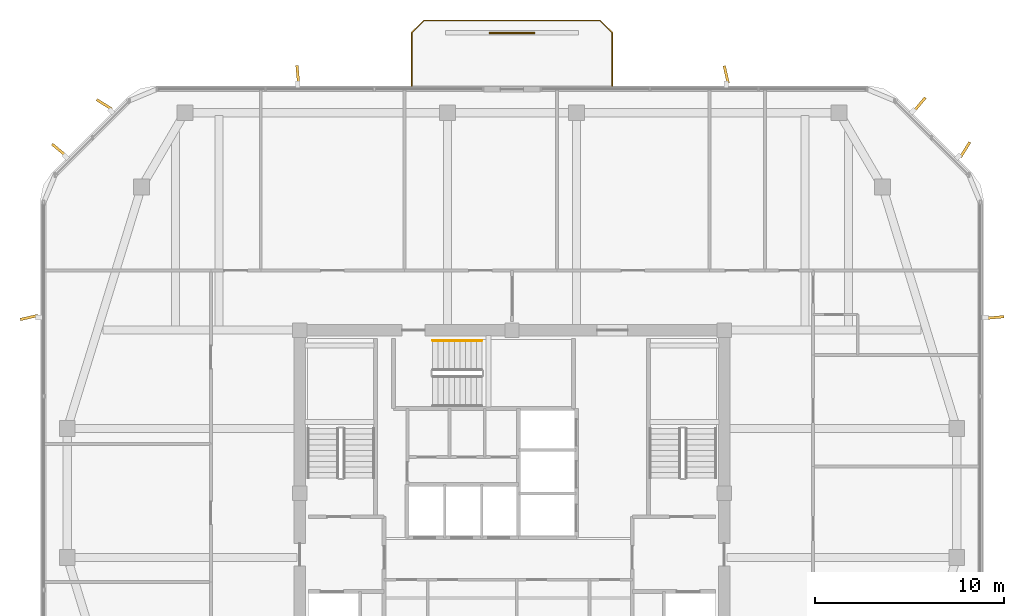
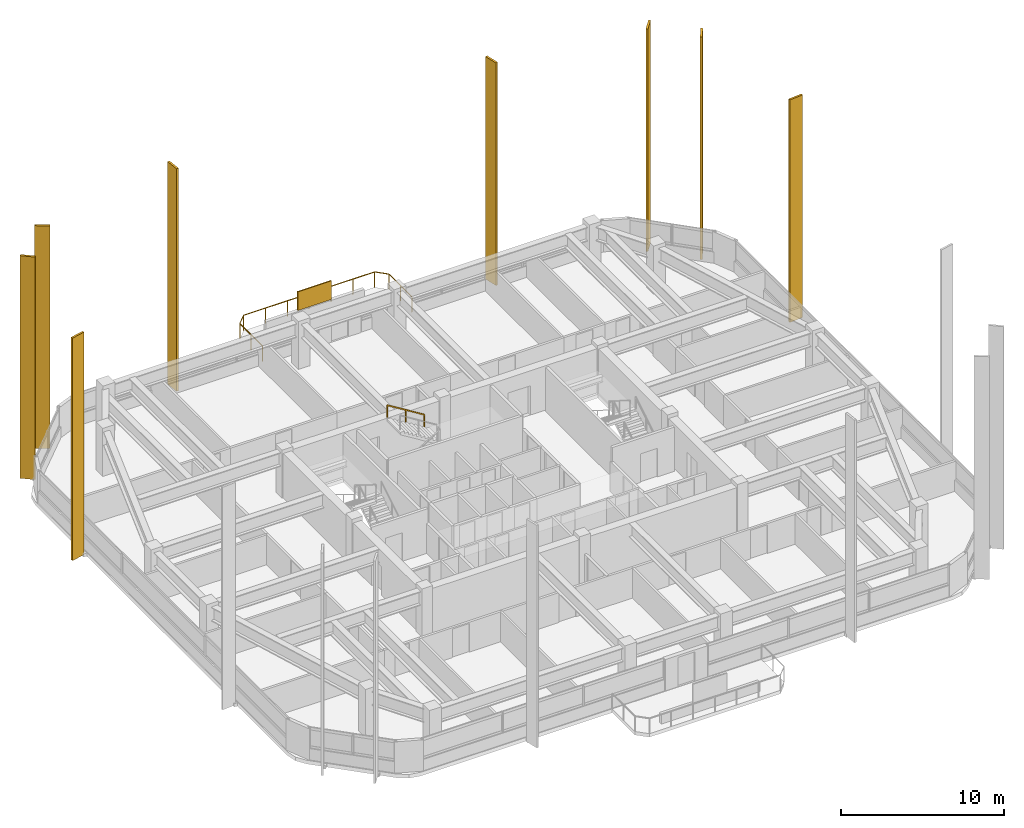
# One storey, part 13 of 13: 9 shading devices, 2 railings.
"""IFC4 building model written with IfcOpenShell, lengths in metres."""

from ifc_helpers import new_model, si_unit, derived_unit, direction, frame, origin, origin_2d, place, context, subcontext, project, spatial, rectangle, extrude, material, layer, layer_set, type_object, element, save


model = new_model("IFC4")

# Units and contexts
model_context = context("Model", 3, precision=1e-05, world=origin(), true_north=direction((0.0, 1.0)))
body_context = subcontext(model_context, "Body", "Model", "MODEL_VIEW")
ifc_project = project(units=[si_unit("LENGTHUNIT", "METRE"), si_unit("AREAUNIT", "SQUARE_METRE"), si_unit("VOLUMEUNIT", "CUBIC_METRE"), si_unit("PLANEANGLEUNIT", "RADIAN"), si_unit("MASSUNIT", "GRAM", prefix="KILO"), derived_unit("THERMALTRANSMITTANCEUNIT", [(si_unit("POWERUNIT", "WATT"), 1), (si_unit("LENGTHUNIT", "METRE"), -2), (si_unit("THERMODYNAMICTEMPERATUREUNIT", "KELVIN"), -1)])], contexts=[model_context])

# Site, building, storey
site_placement = place(None, origin())
site = spatial("IfcSite", under=ifc_project, at=site_placement, CompositionType="ELEMENT")
building_placement = place(site_placement, origin())
building = spatial("IfcBuilding", under=site, at=building_placement, Name="Koralith Skygarden Medical Center", CompositionType="ELEMENT")
storey_placement = place(building_placement, frame((0.0, 0.0, 282.419921875)))
storey = spatial("IfcBuildingStorey", under=building, at=storey_placement, Name="L73", CompositionType="ELEMENT", Elevation=282.419921875)

# Shading devices
ifc_material_1 = material(Name="Aluminium 6063-T6", Category="aluminium")
shading_device_type_1 = type_object("IfcShadingDeviceType", Name="Limestone-Clad Solar Storm Fin 950", PredefinedType="USERDEFINED", material=ifc_material_1)
for number, where, z_axis, x_axis, name in (
    (1, (62.4951171875, 35.169921875, -0.199951171875), (0.0, 0.0, 1.0), (0.995897043604, 0.090493527621, 0.0), "L73 E Harmonic Solar Storm Fin 2"),
    (2, (60.919921875, 44.02197265625, -0.199951171875), (0.0, 0.0, 1.0), (0.529830453939, 0.848103584522, 0.0), "L73 NE Harmonic Solar Storm Fin 1"),
    (3, (58.52197265625, 46.419921875, -0.199951171875), (0.0, 0.0, 1.0), (0.640216965862, 0.76819413993, 0.0), "L73 NE Harmonic Solar Storm Fin 2"),
    (4, (48.31005859375, 47.9951171875, -0.199951171875), (0.0, 0.0, 1.0), (-0.225053088905, 0.974346502623, 0.0), "L73 N Harmonic Solar Storm Fin 1"),
    (5, (25.68994140625, 47.9951171875, -0.199951171875), (0.0, 0.0, 1.0), (-0.090493527621, 0.995897043604, 0.0), "L73 N Harmonic Solar Storm Fin 2"),
    (6, (15.47802734375, 46.419921875, -0.199951171875), (0.0, 0.0, 1.0), (-0.848103584522, 0.529830453939, 0.0), "L73 NW Harmonic Solar Storm Fin 1"),
    (7, (13.080078125, 44.02197265625, -0.199951171875), (0.0, 0.0, 1.0), (-0.76819413993, 0.640216965862, 0.0), "L73 NW Harmonic Solar Storm Fin 2"),
    (8, (11.5048828125, 35.169921875, -0.199951171875), (0.0, 0.0, 1.0), (-0.974346502623, -0.225053088905, 0.0), "L73 W Harmonic Solar Storm Fin 1"),
):
    element("IfcShadingDevice", number, at=place(storey_placement, frame(where, z_axis=z_axis, x_axis=x_axis)), inside=storey, type_object=shading_device_type_1, Name=name, ObjectType="SOLAR FIN", PredefinedType="USERDEFINED", context=body_context, shape_type="SweptSolid", body=[
        extrude(rectangle(XDim=0.949951171875, YDim=0.139892578125, at=origin_2d()), origin(), (0.0, 0.0, 1.0), 16.7099609375),
    ])

# Railing
ifc_material_2 = material(Name="Steel ASTM A500 Grade C", Category="steel")
railing_type_1 = type_object("IfcRailingType", Name="Outdoor Terrace & Balcony Safety Guardrail 1180", PredefinedType="GUARDRAIL", material=ifc_material_2)
railing_1_placement = place(storey_placement, frame((42.300048828125, 47.39990234375, 0.0)))
element("IfcRailing", 9, at=railing_1_placement, inside=storey, type_object=railing_type_1, Name="L73 N Balcony Perimeter Guardrail", PredefinedType="GUARDRAIL", context=body_context, shape_type="SweptSolid", body=[
    extrude(rectangle(XDim=0.050048828125, YDim=0.050048828125, at=origin_2d()), frame((0.0, 0.001953125, 1.15478515625), z_axis=(0.0, 1.0, 0.0), x_axis=(-1.0, 0.0, 0.0)), (0.0, 0.0, 1.0), 2.796142578125),
    extrude(rectangle(XDim=0.050048828125, YDim=0.050048828125, at=origin_2d()), frame((-0.00146484375, 2.801513671875, 1.15478515625), z_axis=(-0.707106781187, 0.707106781187, 0.0), x_axis=(-0.707106781187, -0.707106781187, 0.0)), (0.0, 0.0, 1.0), 0.91552734375),
    extrude(rectangle(XDim=0.050048828125, YDim=0.050048828125, at=origin_2d()), frame((-0.652099609375, 3.4501953125, 1.15478515625), z_axis=(-1.0, 0.0, 0.0), x_axis=(0.0, -1.0, 0.0)), (0.0, 0.0, 1.0), 9.2958984375),
    extrude(rectangle(XDim=0.050048828125, YDim=0.050048828125, at=origin_2d()), frame((-9.951416015625, 3.44873046875, 1.15478515625), z_axis=(-0.707106781187, -0.707106781187, 0.0), x_axis=(0.707106781187, -0.707106781187, 0.0)), (0.0, 0.0, 1.0), 0.91552734375),
    extrude(rectangle(XDim=0.050048828125, YDim=0.050048828125, at=origin_2d()), frame((-10.60009765625, 2.798095703125, 1.15478515625), z_axis=(0.0, -1.0, 0.0), x_axis=(1.0, 0.0, 0.0)), (0.0, 0.0, 1.0), 2.796142578125),
    extrude(rectangle(XDim=0.0419921875, YDim=0.0419921875, at=origin_2d()), origin(), (0.0, 0.0, 1.0), 1.1279296875),
    extrude(rectangle(XDim=0.0419921875, YDim=0.0419921875, at=origin_2d()), frame((0.0, 1.39990234375, 0.0)), (0.0, 0.0, 1.0), 1.1279296875),
    extrude(rectangle(XDim=0.0419921875, YDim=0.0419921875, at=origin_2d()), frame((0.0, 2.800048828125, 0.0)), (0.0, 0.0, 1.0), 1.1279296875),
    extrude(rectangle(XDim=0.0419921875, YDim=0.0419921875, at=origin_2d()), frame((-0.650146484375, 3.4501953125, 0.0)), (0.0, 0.0, 1.0), 1.1279296875),
    extrude(rectangle(XDim=0.0419921875, YDim=0.0419921875, at=origin_2d()), frame((-2.2001953125, 3.4501953125, 0.0)), (0.0, 0.0, 1.0), 1.1279296875),
    extrude(rectangle(XDim=0.0419921875, YDim=0.0419921875, at=origin_2d()), frame((-3.75, 3.4501953125, 0.0)), (0.0, 0.0, 1.0), 1.1279296875),
    extrude(rectangle(XDim=0.0419921875, YDim=0.0419921875, at=origin_2d()), frame((-5.300048828125, 3.4501953125, 0.0)), (0.0, 0.0, 1.0), 1.1279296875),
    extrude(rectangle(XDim=0.0419921875, YDim=0.0419921875, at=origin_2d()), frame((-6.85009765625, 3.4501953125, 0.0)), (0.0, 0.0, 1.0), 1.1279296875),
    extrude(rectangle(XDim=0.0419921875, YDim=0.0419921875, at=origin_2d()), frame((-8.39990234375, 3.4501953125, 0.0)), (0.0, 0.0, 1.0), 1.1279296875),
    extrude(rectangle(XDim=0.0419921875, YDim=0.0419921875, at=origin_2d()), frame((-9.949951171875, 3.4501953125, 0.0)), (0.0, 0.0, 1.0), 1.1279296875),
    extrude(rectangle(XDim=0.0419921875, YDim=0.0419921875, at=origin_2d()), frame((-10.60009765625, 2.800048828125, 0.0)), (0.0, 0.0, 1.0), 1.1279296875),
    extrude(rectangle(XDim=0.0419921875, YDim=0.0419921875, at=origin_2d()), frame((-10.60009765625, 1.39990234375, 0.0)), (0.0, 0.0, 1.0), 1.1279296875),
    extrude(rectangle(XDim=0.0419921875, YDim=0.0419921875, at=origin_2d()), frame((-10.60009765625, 0.0, 0.0)), (0.0, 0.0, 1.0), 1.1279296875),
])

# Shading device
ifc_layer = layer(ifc_material_1, 0.080078125)
ifc_layer_set = layer_set([ifc_layer], Name="Aluminium 6063-T6")
shading_device_type_2 = type_object("IfcShadingDeviceType", Name="Perforated Biophilic Balcony Trellis Screen", PredefinedType="USERDEFINED", material=ifc_layer_set)
shading_device_placement = place(storey_placement, frame((37.0, 50.199951171875, 0.72021484375), z_axis=(0.0, 0.0, 1.0), x_axis=(1.0, 0.0, 0.0)))
element("IfcShadingDevice", 10, at=shading_device_placement, inside=storey, type_object=shading_device_type_2, Name="L73 N Biophilic Balcony Trellis Screen", ObjectType="HURRICANE SCREEN", PredefinedType="USERDEFINED", context=body_context, shape_type="SweptSolid", body=[
    extrude(rectangle(XDim=2.39990234375, YDim=0.080078125, at=origin_2d()), origin(), (0.0, 0.0, 1.0), 1.39990234375),
])

# Railing
railing_type_2 = type_object("IfcRailingType", Name="Stair Flight Tubular Handrail 920", PredefinedType="HANDRAIL", material=ifc_material_2)
railing_2_placement = place(storey_placement, frame((35.409912109375, 33.949951171875, 1.97998046875)))
element("IfcRailing", 11, at=railing_2_placement, inside=storey, type_object=railing_type_2, Name="L73 ST3 stair handrail 2", PredefinedType="HANDRAIL", context=body_context, shape_type="SweptSolid", body=[
    extrude(rectangle(XDim=0.050048828125, YDim=0.050048828125, at=origin_2d()), frame((-0.001708984375, 0.0, 0.89599609375), z_axis=(-0.849610693518, 0.0, 0.52741034258), x_axis=(0.0, -1.0, 0.0)), (0.0, 0.0, 1.0), 3.06787109375),
    extrude(rectangle(XDim=0.0419921875, YDim=0.0419921875, at=origin_2d()), origin(), (0.0, 0.0, 1.0), 0.867919921875),
    extrude(rectangle(XDim=0.0419921875, YDim=0.0419921875, at=origin_2d()), frame((-1.304931640625, 0.0, 0.81005859375)), (0.0, 0.0, 1.0), 0.867919921875),
    extrude(rectangle(XDim=0.0419921875, YDim=0.0419921875, at=origin_2d()), frame((-2.60986328125, 0.0, 1.6201171875)), (0.0, 0.0, 1.0), 0.867919921875),
])

save(model, "model.ifc")
